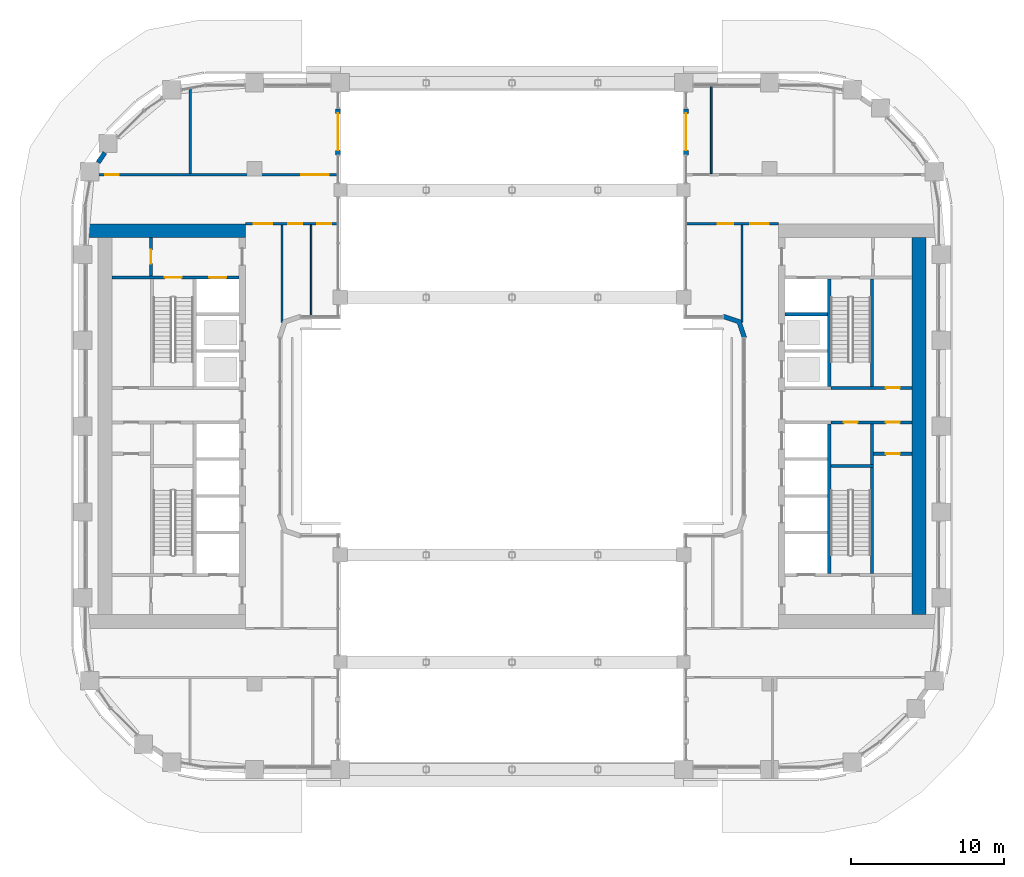
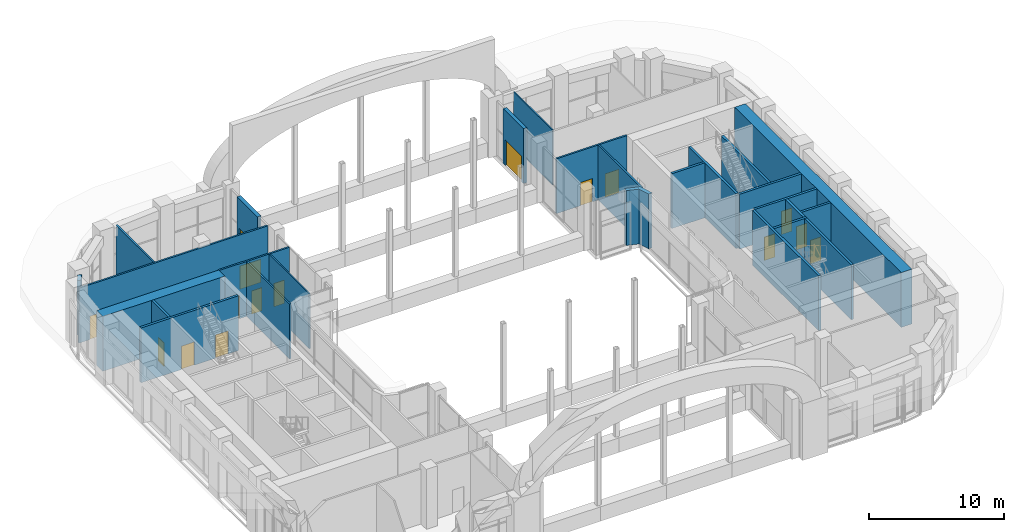
# One storey, part 17 of 28: 26 walls, 16 doors, 16 openings.
"""IFC4 building model written with IfcOpenShell, lengths in metres."""

from ifc_helpers import new_model, si_unit, direction, frame, frame_2d, origin, place, context, subcontext, project, spatial, polyline, rectangle, outline, extrude, material, layer, layer_set, type_object, element, fill, save


model = new_model("IFC4")

# Units and contexts
model_context = context("Model", 3, precision=1e-05, world=origin(), true_north=direction((0.0, 1.0)))
body_context = subcontext(model_context, "Body", "Model", "MODEL_VIEW")
ifc_project = project(units=[si_unit("LENGTHUNIT", "METRE"), si_unit("AREAUNIT", "SQUARE_METRE"), si_unit("VOLUMEUNIT", "CUBIC_METRE"), si_unit("PLANEANGLEUNIT", "RADIAN"), si_unit("MASSUNIT", "GRAM", prefix="KILO")], contexts=[model_context])

# Site, building, storey
site_placement = place(None, origin())
site = spatial("IfcSite", under=ifc_project, at=site_placement, CompositionType="ELEMENT")
building_placement = place(site_placement, origin())
building = spatial("IfcBuilding", under=site, at=building_placement, Name="Kiln Ring Residences", CompositionType="ELEMENT")
storey_placement = place(building_placement, frame((0.0, 0.0, 125.300048828125)))
storey = spatial("IfcBuildingStorey", under=building, at=storey_placement, Name="L32", CompositionType="ELEMENT", Elevation=125.300048828125)

# Wall, opening, door
ifc_material_1 = material(Name="Gypsum board on steel studs", Category="steel")
ifc_layer_1 = layer(ifc_material_1, 0.199951171875)
ifc_layer_set_1 = layer_set([ifc_layer_1], Name="CORE-PARTITION-200")
wall_type_1 = type_object("IfcWallType", Name="CORE-PARTITION-200", PredefinedType="PARTITIONING", material=ifc_layer_set_1)
wall_1_placement = place(storey_placement, frame((-23.550048828125, 9.800048828125, 0.0), z_axis=(0.0, 0.0, 1.0), x_axis=(0.0, 1.0, 0.0)))
wall_1 = element("IfcWall", 1, at=wall_1_placement, inside=storey, type_object=wall_type_1, Name="Core partition west L32 3", PredefinedType="PARTITIONING", context=body_context, shape_type="SweptSolid", body=[
    extrude(rectangle(XDim=2.5, YDim=0.199951171875, at=frame_2d((1.25, 0.0))), origin(), (0.0, 0.0, 1.0), 4.949951171875),
])
opening_1_placement = place(wall_1_placement, frame((0.800048828125, 0.0, 0.0)))
opening_1 = element("IfcOpeningElement", 2, at=opening_1_placement, cuts=wall_1, Name="Opening L32-CW10", PredefinedType="OPENING", context=body_context, shape_type="SweptSolid", body=[
    extrude(rectangle(XDim=0.89990234375, YDim=2.10009765625, at=frame_2d((0.449951171875, 1.050048828125))), frame((0.0, 0.10986328125, 0.0), z_axis=(0.0, -1.0, 0.0), x_axis=(1.0, 0.0, 0.0)), (0.0, 0.0, 1.0), 0.219970703125),
])
ifc_material_2 = material(Name="Steel door leaf", Category="steel")
door_type_1 = type_object("IfcDoorType", Name="CORE-DOOR-ROOM", OperationType="SINGLE_SWING_LEFT", PredefinedType="DOOR", material=ifc_material_2)
door_1_placement = place(opening_1_placement, origin())
door_1 = element("IfcDoor", 3, at=door_1_placement, inside=storey, type_object=door_type_1, Name="Fire riser room L32-CW10", OperationType="SINGLE_SWING_RIGHT", OverallHeight=2.10009765625, OverallWidth=0.89990234375, PredefinedType="DOOR", context=body_context, shape_type="SweptSolid", body=[
    extrude(rectangle(XDim=0.89990234375, YDim=2.10009765625, at=frame_2d((0.449951171875, 1.050048828125))), frame((0.0, 0.02490234375, 0.0), z_axis=(0.0, -1.0, 0.0), x_axis=(1.0, 0.0, 0.0)), (0.0, 0.0, 1.0), 0.050048828125),
])
fill(opening_1, door_1)

# Wall
wall_2_placement = place(storey_placement, frame((23.5, -2.5, 0.0), z_axis=(0.0, 0.0, 1.0), x_axis=(0.0, 1.0, 0.0)))
element("IfcWall", 4, at=wall_2_placement, inside=storey, type_object=wall_type_1, Name="Core partition east L32 1", PredefinedType="PARTITIONING", context=body_context, shape_type="SweptSolid", body=[
    extrude(rectangle(XDim=2.64990234375, YDim=0.199951171875, at=frame_2d((1.324951171875, 0.0))), origin(), (0.0, 0.0, 1.0), 4.949951171875),
])

# Wall, openings, doors
wall_3_placement = place(storey_placement, frame((20.800048828125, 0.25, 0.0), z_axis=(0.0, 0.0, 1.0), x_axis=(1.0, 0.0, 0.0)))
wall_3 = element("IfcWall", 5, at=wall_3_placement, inside=storey, type_object=wall_type_1, Name="Core partition east L32 2", PredefinedType="PARTITIONING", context=body_context, shape_type="SweptSolid", body=[
    extrude(rectangle(XDim=5.300048828125, YDim=0.199951171875, at=frame_2d((2.64990234375, 0.0))), origin(), (0.0, 0.0, 1.0), 4.949951171875),
])
opening_2_placement = place(wall_3_placement, frame((0.85009765625, 0.0, 0.0)))
opening_2 = element("IfcOpeningElement", 6, at=opening_2_placement, cuts=wall_3, Name="Opening L32-CE15", PredefinedType="OPENING", context=body_context, shape_type="SweptSolid", body=[
    extrude(rectangle(XDim=0.89990234375, YDim=2.10009765625, at=frame_2d((0.449951171875, 1.050048828125))), frame((0.0, 0.10986328125, 0.0), z_axis=(0.0, -1.0, 0.0), x_axis=(1.0, 0.0, 0.0)), (0.0, 0.0, 1.0), 0.219970703125),
])
opening_3_placement = place(wall_3_placement, frame((3.60009765625, 0.0, 0.0)))
opening_3 = element("IfcOpeningElement", 7, at=opening_3_placement, cuts=wall_3, Name="Opening L32-CE17", PredefinedType="OPENING", context=body_context, shape_type="SweptSolid", body=[
    extrude(rectangle(XDim=0.89990234375, YDim=2.10009765625, at=frame_2d((0.449951171875, 1.050048828125))), frame((0.0, 0.10986328125, 0.0), z_axis=(0.0, -1.0, 0.0), x_axis=(1.0, 0.0, 0.0)), (0.0, 0.0, 1.0), 0.219970703125),
])
door_2_placement = place(opening_2_placement, origin())
door_2 = element("IfcDoor", 8, at=door_2_placement, inside=storey, type_object=door_type_1, Name="Linen store L32-CE15", OperationType="SINGLE_SWING_RIGHT", OverallHeight=2.10009765625, OverallWidth=0.89990234375, PredefinedType="DOOR", context=body_context, shape_type="SweptSolid", body=[
    extrude(rectangle(XDim=0.89990234375, YDim=2.10009765625, at=frame_2d((0.449951171875, 1.050048828125))), frame((0.0, 0.02490234375, 0.0), z_axis=(0.0, -1.0, 0.0), x_axis=(1.0, 0.0, 0.0)), (0.0, 0.0, 1.0), 0.050048828125),
])
fill(opening_2, door_2)
door_3_placement = place(opening_3_placement, origin())
door_3 = element("IfcDoor", 9, at=door_3_placement, inside=storey, type_object=door_type_1, Name="Pump and valve room L32-CE17", OperationType="SINGLE_SWING_RIGHT", OverallHeight=2.10009765625, OverallWidth=0.89990234375, PredefinedType="DOOR", context=body_context, shape_type="SweptSolid", body=[
    extrude(rectangle(XDim=0.89990234375, YDim=2.10009765625, at=frame_2d((0.449951171875, 1.050048828125))), frame((0.0, 0.02490234375, 0.0), z_axis=(0.0, -1.0, 0.0), x_axis=(1.0, 0.0, 0.0)), (0.0, 0.0, 1.0), 0.050048828125),
])
fill(opening_3, door_3)

# Wall, opening, door
wall_4_placement = place(storey_placement, frame((23.60009765625, -1.800048828125, 0.0), z_axis=(0.0, 0.0, 1.0), x_axis=(1.0, 0.0, 0.0)))
wall_4 = element("IfcWall", 10, at=wall_4_placement, inside=storey, type_object=wall_type_1, Name="Core partition east L32 5", PredefinedType="PARTITIONING", context=body_context, shape_type="SweptSolid", body=[
    extrude(rectangle(XDim=2.5, YDim=0.199951171875, at=frame_2d((1.25, 0.0))), origin(), (0.0, 0.0, 1.0), 4.949951171875),
])
opening_4_placement = place(wall_4_placement, frame((0.800048828125, 0.0, 0.0)))
opening_4 = element("IfcOpeningElement", 11, at=opening_4_placement, cuts=wall_4, Name="Opening L32-CE16", PredefinedType="OPENING", context=body_context, shape_type="SweptSolid", body=[
    extrude(rectangle(XDim=0.89990234375, YDim=2.10009765625, at=frame_2d((0.449951171875, 1.050048828125))), frame((0.0, 0.10986328125, 0.0), z_axis=(0.0, -1.0, 0.0), x_axis=(1.0, 0.0, 0.0)), (0.0, 0.0, 1.0), 0.219970703125),
])
door_4_placement = place(opening_4_placement, origin())
door_4 = element("IfcDoor", 12, at=door_4_placement, inside=storey, type_object=door_type_1, Name="Pump and valve room L32-CE16", OperationType="SINGLE_SWING_RIGHT", OverallHeight=2.10009765625, OverallWidth=0.89990234375, PredefinedType="DOOR", context=body_context, shape_type="SweptSolid", body=[
    extrude(rectangle(XDim=0.89990234375, YDim=2.10009765625, at=frame_2d((0.449951171875, 1.050048828125))), frame((0.0, 0.02490234375, 0.0), z_axis=(0.0, -1.0, 0.0), x_axis=(1.0, 0.0, 0.0)), (0.0, 0.0, 1.0), 0.050048828125),
])
fill(opening_4, door_4)

# Wall
ifc_material_3 = material(Name="Gypsum shaft wall system")
ifc_layer_2 = layer(ifc_material_3, 0.199951171875)
ifc_layer_set_2 = layer_set([ifc_layer_2], Name="CORE-SHAFT-WALL-200")
wall_type_2 = type_object("IfcWallType", Name="CORE-SHAFT-WALL-200", PredefinedType="PARTITIONING", material=ifc_layer_set_2)
wall_5_placement = place(storey_placement, frame((17.800048828125, 7.300048828125, 0.0), z_axis=(0.0, 0.0, 1.0), x_axis=(1.0, 0.0, 0.0)))
element("IfcWall", 13, at=wall_5_placement, inside=storey, type_object=wall_type_2, Name="Core partition east L32 12", PredefinedType="PARTITIONING", context=body_context, shape_type="SweptSolid", body=[
    extrude(rectangle(XDim=2.800048828125, YDim=0.199951171875, at=frame_2d((1.39990234375, 0.0))), origin(), (0.0, 0.0, 1.0), 4.949951171875),
])

# Wall, openings, doors
ifc_material_4 = material(Name="Concrete C40/50", Category="concrete")
ifc_layer_3 = layer(ifc_material_4, 0.199951171875)
ifc_layer_set_3 = layer_set([ifc_layer_3], Name="CORE-WALL-RC200")
wall_type_3 = type_object("IfcWallType", Name="CORE-WALL-RC200", PredefinedType="SHEAR", material=ifc_layer_set_3)
wall_6_placement = place(storey_placement, frame((-17.800048828125, 9.699951171875, 0.0), z_axis=(0.0, 0.0, 1.0), x_axis=(-1.0, 0.0, 0.0)))
wall_6 = element("IfcWall", 14, at=wall_6_placement, inside=storey, type_object=wall_type_3, Name="Core wall west L32 9", PredefinedType="SHEAR", context=body_context, shape_type="SweptSolid", body=[
    extrude(rectangle(XDim=8.300048828125, YDim=0.199951171875, at=frame_2d((4.14990234375, 0.0))), origin(), (0.0, 0.0, 1.0), 4.949951171875),
])
opening_5_placement = place(wall_6_placement, frame((0.85009765625, 0.0, 0.0)))
opening_5 = element("IfcOpeningElement", 15, at=opening_5_placement, cuts=wall_6, Name="Opening L32-CW07", PredefinedType="OPENING", context=body_context, shape_type="SweptSolid", body=[
    extrude(rectangle(XDim=1.10009765625, YDim=2.10009765625, at=frame_2d((0.550048828125, 1.050048828125))), frame((0.0, 0.10986328125, 0.0), z_axis=(0.0, -1.0, 0.0), x_axis=(1.0, 0.0, 0.0)), (0.0, 0.0, 1.0), 0.219970703125),
])
opening_6_placement = place(wall_6_placement, frame((3.75, 0.0, 0.0)))
opening_6 = element("IfcOpeningElement", 16, at=opening_6_placement, cuts=wall_6, Name="Opening L32-CW12", PredefinedType="OPENING", context=body_context, shape_type="SweptSolid", body=[
    extrude(rectangle(XDim=1.10009765625, YDim=2.10009765625, at=frame_2d((0.550048828125, 1.050048828125))), frame((0.0, 0.10986328125, 0.0), z_axis=(0.0, -1.0, 0.0), x_axis=(1.0, 0.0, 0.0)), (0.0, 0.0, 1.0), 0.219970703125),
])
ifc_material_5 = material(Name="Steel door leaf", Category="steel")
door_type_2 = type_object("IfcDoorType", Name="CORE-DOOR-LD", OperationType="DOUBLE_DOOR_SLIDING", PredefinedType="DOOR", material=ifc_material_5)
door_5_placement = place(opening_5_placement, origin())
door_5 = element("IfcDoor", 17, at=door_5_placement, inside=storey, type_object=door_type_2, Name="LD W-FF L32-CW07", OperationType="DOUBLE_DOOR_SLIDING", OverallHeight=2.10009765625, OverallWidth=1.10009765625, PredefinedType="DOOR", context=body_context, shape_type="SweptSolid", body=[
    extrude(rectangle(XDim=1.10009765625, YDim=2.10009765625, at=frame_2d((0.550048828125, 1.050048828125))), frame((0.0, 0.02490234375, 0.0), z_axis=(0.0, -1.0, 0.0), x_axis=(1.0, 0.0, 0.0)), (0.0, 0.0, 1.0), 0.050048828125),
])
fill(opening_5, door_5)
ifc_material_6 = material(Name="Steel door leaf", Category="steel")
door_type_3 = type_object("IfcDoorType", Name="CORE-DOOR-STAIR", OperationType="SINGLE_SWING_LEFT", PredefinedType="DOOR", material=ifc_material_6)
door_6_placement = place(opening_6_placement, origin())
door_6 = element("IfcDoor", 18, at=door_6_placement, inside=storey, type_object=door_type_3, Name="Stair W-STN L32-CW12", OperationType="SINGLE_SWING_RIGHT", OverallHeight=2.10009765625, OverallWidth=1.10009765625, PredefinedType="DOOR", context=body_context, shape_type="SweptSolid", body=[
    extrude(rectangle(XDim=1.10009765625, YDim=2.10009765625, at=frame_2d((0.550048828125, 1.050048828125))), frame((0.0, 0.02490234375, 0.0), z_axis=(0.0, -1.0, 0.0), x_axis=(1.0, 0.0, 0.0)), (0.0, 0.0, 1.0), 0.050048828125),
])
fill(opening_6, door_6)

# Walls
wall_7_placement = place(storey_placement, frame((20.699951171875, 2.60009765625, 0.0), z_axis=(0.0, 0.0, 1.0), x_axis=(0.0, 1.0, 0.0)))
element("IfcWall", 19, at=wall_7_placement, inside=storey, type_object=wall_type_3, Name="Core wall east L32 1", PredefinedType="SHEAR", context=body_context, shape_type="SweptSolid", body=[
    extrude(rectangle(XDim=7.0, YDim=0.199951171875, at=frame_2d((3.5, 0.0))), origin(), (0.0, 0.0, 1.0), 4.949951171875),
])
wall_8_placement = place(storey_placement, frame((20.699951171875, -9.60009765625, 0.0), z_axis=(0.0, 0.0, 1.0), x_axis=(0.0, 1.0, 0.0)))
element("IfcWall", 20, at=wall_8_placement, inside=storey, type_object=wall_type_3, Name="Core wall east L32 2", PredefinedType="SHEAR", context=body_context, shape_type="SweptSolid", body=[
    extrude(rectangle(XDim=9.75, YDim=0.199951171875, at=frame_2d((4.875, 0.0))), origin(), (0.0, 0.0, 1.0), 4.949951171875),
])

# Wall, opening, door
wall_9_placement = place(storey_placement, frame((20.800048828125, 2.5, 0.0), z_axis=(0.0, 0.0, 1.0), x_axis=(1.0, 0.0, 0.0)))
wall_9 = element("IfcWall", 21, at=wall_9_placement, inside=storey, type_object=wall_type_3, Name="Core wall east L32 3", PredefinedType="SHEAR", context=body_context, shape_type="SweptSolid", body=[
    extrude(rectangle(XDim=5.300048828125, YDim=0.199951171875, at=frame_2d((2.64990234375, 0.0))), origin(), (0.0, 0.0, 1.0), 4.949951171875),
])
opening_7_placement = place(wall_9_placement, frame((3.60009765625, 0.0, 0.0)))
opening_7 = element("IfcOpeningElement", 22, at=opening_7_placement, cuts=wall_9, Name="Opening L32-CE18", PredefinedType="OPENING", context=body_context, shape_type="SweptSolid", body=[
    extrude(rectangle(XDim=0.89990234375, YDim=2.10009765625, at=frame_2d((0.449951171875, 1.050048828125))), frame((0.0, 0.10986328125, 0.0), z_axis=(0.0, -1.0, 0.0), x_axis=(1.0, 0.0, 0.0)), (0.0, 0.0, 1.0), 0.219970703125),
])
door_7_placement = place(opening_7_placement, origin())
door_7 = element("IfcDoor", 23, at=door_7_placement, inside=storey, type_object=door_type_1, Name="Electrical plant room L32-CE18", OperationType="SINGLE_SWING_RIGHT", OverallHeight=2.10009765625, OverallWidth=0.89990234375, PredefinedType="DOOR", context=body_context, shape_type="SweptSolid", body=[
    extrude(rectangle(XDim=0.89990234375, YDim=2.10009765625, at=frame_2d((0.449951171875, 1.050048828125))), frame((0.0, 0.02490234375, 0.0), z_axis=(0.0, -1.0, 0.0), x_axis=(1.0, 0.0, 0.0)), (0.0, 0.0, 1.0), 0.050048828125),
])
fill(opening_7, door_7)

# Walls
wall_10_placement = place(storey_placement, frame((23.5, 2.60009765625, 0.0), z_axis=(0.0, 0.0, 1.0), x_axis=(0.0, 1.0, 0.0)))
element("IfcWall", 24, at=wall_10_placement, inside=storey, type_object=wall_type_3, Name="Core wall east L32 10", PredefinedType="SHEAR", context=body_context, shape_type="SweptSolid", body=[
    extrude(rectangle(XDim=7.0, YDim=0.199951171875, at=frame_2d((3.5, 0.0))), origin(), (0.0, 0.0, 1.0), 4.949951171875),
])
wall_11_placement = place(storey_placement, frame((23.5, -9.60009765625, 0.0), z_axis=(0.0, 0.0, 1.0), x_axis=(0.0, 1.0, 0.0)))
element("IfcWall", 25, at=wall_11_placement, inside=storey, type_object=wall_type_3, Name="Core wall east L32 11", PredefinedType="SHEAR", context=body_context, shape_type="SweptSolid", body=[
    extrude(rectangle(XDim=6.900146484375, YDim=0.199951171875, at=frame_2d((3.4501953125, 0.0))), origin(), (0.0, 0.0, 1.0), 4.949951171875),
])
wall_12_placement = place(storey_placement, frame((20.800048828125, -2.60009765625, 0.0), z_axis=(0.0, 0.0, 1.0), x_axis=(1.0, 0.0, 0.0)))
element("IfcWall", 26, at=wall_12_placement, inside=storey, type_object=wall_type_3, Name="Core wall east L32 12", PredefinedType="SHEAR", context=body_context, shape_type="SweptSolid", body=[
    extrude(rectangle(XDim=2.800048828125, YDim=0.199951171875, at=frame_2d((1.39990234375, 0.0))), origin(), (0.0, 0.0, 1.0), 4.949951171875),
])
ifc_material_7 = material(Name="Concrete C60/75", Category="concrete")
ifc_layer_4 = layer(ifc_material_7, 0.89990234375)
ifc_layer_set_4 = layer_set([ifc_layer_4], Name="CORE-WALL-RC900")
wall_type_4 = type_object("IfcWallType", Name="CORE-WALL-RC900", PredefinedType="SHEAR", material=ifc_layer_set_4)
wall_13_placement = place(storey_placement, frame((-17.39990234375, 12.75, 0.0), z_axis=(0.0, 0.0, 1.0), x_axis=(-1.0, 0.0, 0.0)))
element("IfcWall", 27, at=wall_13_placement, inside=storey, type_object=wall_type_4, Name="Core wall west L32 4", PredefinedType="SHEAR", context=body_context, shape_type="SweptSolid", body=[
    extrude(rectangle(XDim=10.400146484375, YDim=0.89990234375, at=frame_2d((5.2001953125, 0.0))), origin(), (0.0, 0.0, 1.0), 4.949951171875),
])
wall_14_placement = place(storey_placement, frame((26.550048828125, -12.300048828125, 0.0), z_axis=(0.0, 0.0, 1.0), x_axis=(0.0, 1.0, 0.0)))
element("IfcWall", 28, at=wall_14_placement, inside=storey, type_object=wall_type_4, Name="Core wall east L32 7", PredefinedType="SHEAR", context=body_context, shape_type="SweptSolid", body=[
    extrude(rectangle(XDim=24.60009765625, YDim=0.89990234375, at=frame_2d((12.300048828125, 0.0))), origin(), (0.0, 0.0, 1.0), 4.949951171875),
])

# Wall, opening, door
ifc_material_8 = material(Name="Brick masonry, dark clay brick", Category="masonry")
ifc_layer_5 = layer(ifc_material_8, 0.300048828125)
ifc_layer_set_5 = layer_set([ifc_layer_5], Name="EW-300 BRICK WALL")
wall_type_5 = type_object("IfcWallType", Name="EW-300 BRICK WALL", PredefinedType="SOLIDWALL", material=ifc_layer_set_5)
wall_15_placement = place(storey_placement, frame((-11.35009765625, 17.699951171875, 0.0), z_axis=(0.0, 0.0, 1.0), x_axis=(0.0, 1.0, 0.0)))
wall_15 = element("IfcWall", 29, at=wall_15_placement, inside=storey, type_object=wall_type_5, Name="Facade wall L32 2", PredefinedType="SOLIDWALL", context=body_context, shape_type="SweptSolid", body=[
    extrude(rectangle(XDim=3.0, YDim=0.300048828125, at=frame_2d((1.5, 0.0))), origin(), (0.0, 0.0, 1.0), 4.949951171875),
])
opening_8_placement = place(wall_15_placement, frame((0.300048828125, 0.0, 0.0)))
opening_8 = element("IfcOpeningElement", 30, at=opening_8_placement, cuts=wall_15, Name="Opening EL32-2", PredefinedType="OPENING", context=body_context, shape_type="SweptSolid", body=[
    extrude(rectangle(XDim=2.39990234375, YDim=2.300048828125, at=frame_2d((1.199951171875, 1.14990234375))), frame((0.0, 0.159912109375, 0.0), z_axis=(0.0, -1.0, 0.0), x_axis=(1.0, 0.0, 0.0)), (0.0, 0.0, 1.0), 0.320068359375),
])
ifc_material_9 = material(Name="Aluminium and glass", Category="aluminium")
door_type_4 = type_object("IfcDoorType", Name="TERRACE DOOR 2400 x 2300", OperationType="DOUBLE_DOOR_SINGLE_SWING", PredefinedType="DOOR", material=ifc_material_9)
door_8_placement = place(opening_8_placement, origin())
door_8 = element("IfcDoor", 31, at=door_8_placement, inside=storey, type_object=door_type_4, Name="Terrace door EL32-2", OperationType="SINGLE_SWING_LEFT", OverallHeight=2.300048828125, OverallWidth=2.39990234375, PredefinedType="DOOR", context=body_context, shape_type="SweptSolid", body=[
    extrude(rectangle(XDim=2.39990234375, YDim=2.300048828125, at=frame_2d((1.199951171875, 1.14990234375))), frame((0.0, 0.02490234375, 0.0), z_axis=(0.0, -1.0, 0.0), x_axis=(1.0, 0.0, 0.0)), (0.0, 0.0, 1.0), 0.050048828125),
])
fill(opening_8, door_8)

wall_16_placement = place(storey_placement, frame((11.35009765625, 20.699951171875, 0.0), z_axis=(0.0, 0.0, 1.0), x_axis=(0.0, -1.0, 0.0)))
wall_16 = element("IfcWall", 32, at=wall_16_placement, inside=storey, type_object=wall_type_5, Name="Facade wall L32 4", PredefinedType="SOLIDWALL", context=body_context, shape_type="SweptSolid", body=[
    extrude(rectangle(XDim=3.0, YDim=0.300048828125, at=frame_2d((1.5, 0.0))), origin(), (0.0, 0.0, 1.0), 4.949951171875),
])
opening_9_placement = place(wall_16_placement, frame((0.300048828125, 0.0, 0.0)))
opening_9 = element("IfcOpeningElement", 33, at=opening_9_placement, cuts=wall_16, Name="Opening EL32-4", PredefinedType="OPENING", context=body_context, shape_type="SweptSolid", body=[
    extrude(rectangle(XDim=2.39990234375, YDim=2.300048828125, at=frame_2d((1.199951171875, 1.14990234375))), frame((0.0, 0.159912109375, 0.0), z_axis=(0.0, -1.0, 0.0), x_axis=(1.0, 0.0, 0.0)), (0.0, 0.0, 1.0), 0.320068359375),
])
door_9_placement = place(opening_9_placement, origin())
door_9 = element("IfcDoor", 34, at=door_9_placement, inside=storey, type_object=door_type_4, Name="Terrace door EL32-4", OperationType="SINGLE_SWING_LEFT", OverallHeight=2.300048828125, OverallWidth=2.39990234375, PredefinedType="DOOR", context=body_context, shape_type="SweptSolid", body=[
    extrude(rectangle(XDim=2.39990234375, YDim=2.300048828125, at=frame_2d((1.199951171875, 1.14990234375))), frame((0.0, 0.02490234375, 0.0), z_axis=(0.0, -1.0, 0.0), x_axis=(1.0, 0.0, 0.0)), (0.0, 0.0, 1.0), 0.050048828125),
])
fill(opening_9, door_9)

# Walls
wall_17_placement = place(storey_placement, frame((-26.568115234375, 17.840087890625, 0.0), z_axis=(0.0, 0.0, 1.0), x_axis=(-0.561986273267, -0.82714655815, 0.0)))
element("IfcWall", 35, at=wall_17_placement, inside=storey, type_object=wall_type_5, Name="Facade wall L32 6", PredefinedType="SOLIDWALL", context=body_context, shape_type="SweptSolid", body=[
    extrude(rectangle(XDim=0.76318359375, YDim=0.300048828125, at=frame_2d((0.381591796875, 0.0))), origin(), (0.0, 0.0, 1.0), 4.949951171875),
])
wall_18_placement = place(storey_placement, origin())
element("IfcWall", 36, at=wall_18_placement, inside=storey, type_object=wall_type_5, Name="Corner wall L32 3", PredefinedType="SOLIDWALL", context=body_context, shape_type="SweptSolid", body=[
    extrude(outline(polyline([(13.800048828125, 7.0), (14.699951171875, 6.699951171875), (15.0, 5.800048828125), (15.300048828125, 5.800048828125), (15.300048828125, 5.8486328125), (14.937255859375, 6.937255859375), (13.8486328125, 7.300048828125), (13.800048828125, 7.300048828125), (13.800048828125, 7.0)])), origin(), (0.0, 0.0, 1.0), 4.949951171875),
])
ifc_material_10 = material(Name="Gypsum board on steel studs", Category="steel")
ifc_layer_6 = layer(ifc_material_10, 0.10009765625)
ifc_layer_set_6 = layer_set([ifc_layer_6], Name="PARTITION-100")
wall_type_6 = type_object("IfcWallType", Name="PARTITION-100", PredefinedType="PARTITIONING", material=ifc_layer_set_6)
wall_19_placement = place(storey_placement, frame((-13.10009765625, 7.18408203125, 0.0), z_axis=(0.0, 0.0, 1.0), x_axis=(0.0, 1.0, 0.0)))
element("IfcWall", 37, at=wall_19_placement, inside=storey, type_object=wall_type_6, Name="Partition 012", PredefinedType="PARTITIONING", context=body_context, shape_type="SweptSolid", body=[
    extrude(rectangle(XDim=5.94091796875, YDim=0.10009765625, at=frame_2d((2.970458984375, 0.0))), origin(), (0.0, 0.0, 1.0), 4.949951171875),
])
wall_20_placement = place(storey_placement, frame((13.0, 16.47509765625, 0.0), z_axis=(0.0, 0.0, 1.0), x_axis=(0.0, 1.0, 0.0)))
element("IfcWall", 38, at=wall_20_placement, inside=storey, type_object=wall_type_6, Name="Partition 014", PredefinedType="PARTITIONING", context=body_context, shape_type="SweptSolid", body=[
    extrude(rectangle(XDim=5.740966796875, YDim=0.10009765625, at=frame_2d((2.87060546875, 0.0))), origin(), (0.0, 0.0, 1.0), 4.949951171875),
])

# Wall, openings, doors
ifc_material_11 = material(Name="Brick masonry partition", Category="masonry")
ifc_layer_7 = layer(ifc_material_11, 0.14990234375)
ifc_layer_set_7 = layer_set([ifc_layer_7], Name="PARTITION-150-ei60")
wall_type_7 = type_object("IfcWallType", Name="PARTITION-150-ei60", PredefinedType="PARTITIONING", material=ifc_layer_set_7)
wall_21_placement = place(storey_placement, frame((-17.39990234375, 13.199951171875, 0.0), z_axis=(0.0, 0.0, 1.0), x_axis=(1.0, 0.0, 0.0)))
wall_21 = element("IfcWall", 39, at=wall_21_placement, inside=storey, type_object=wall_type_7, Name="Partition 004", PredefinedType="PARTITIONING", context=body_context, shape_type="SweptSolid", body=[
    extrude(rectangle(XDim=6.015869140625, YDim=0.14990234375, at=frame_2d((3.0078125, 0.0))), origin(), (0.0, 0.0, 1.0), 4.949951171875),
])
opening_10_placement = place(wall_21_placement, frame((0.550048828125, 0.0, 0.0)))
opening_10 = element("IfcOpeningElement", 40, at=opening_10_placement, cuts=wall_21, Name="Opening L32-D006", PredefinedType="OPENING", context=body_context, shape_type="SweptSolid", body=[
    extrude(rectangle(XDim=1.199951171875, YDim=2.10009765625, at=frame_2d((0.60009765625, 1.050048828125))), frame((0.0, 0.0849609375, 0.0), z_axis=(0.0, -1.0, 0.0), x_axis=(1.0, 0.0, 0.0)), (0.0, 0.0, 1.0), 0.169921875),
])
opening_11_placement = place(wall_21_placement, frame((4.699951171875, 0.0, 0.0)))
opening_11 = element("IfcOpeningElement", 41, at=opening_11_placement, cuts=wall_21, Name="Opening L32-D007", PredefinedType="OPENING", context=body_context, shape_type="SweptSolid", body=[
    extrude(rectangle(XDim=0.89990234375, YDim=2.10009765625, at=frame_2d((0.449951171875, 1.050048828125))), frame((0.0, 0.0849609375, 0.0), z_axis=(0.0, -1.0, 0.0), x_axis=(1.0, 0.0, 0.0)), (0.0, 0.0, 1.0), 0.169921875),
])
opening_12_placement = place(wall_21_placement, frame((2.800048828125, 0.0, 0.0)))
opening_12 = element("IfcOpeningElement", 42, at=opening_12_placement, cuts=wall_21, Name="Opening L32-D008", PredefinedType="OPENING", context=body_context, shape_type="SweptSolid", body=[
    extrude(rectangle(XDim=0.89990234375, YDim=2.10009765625, at=frame_2d((0.449951171875, 1.050048828125))), frame((0.0, 0.0849609375, 0.0), z_axis=(0.0, -1.0, 0.0), x_axis=(1.0, 0.0, 0.0)), (0.0, 0.0, 1.0), 0.169921875),
])
ifc_material_12 = material(Name="Steel faced fire door leaf", Category="steel")
door_type_5 = type_object("IfcDoorType", Name="FLAT-DOOR-1200-FR", OperationType="SINGLE_SWING_LEFT", PredefinedType="DOOR", material=ifc_material_12)
door_10_placement = place(opening_10_placement, origin())
door_10 = element("IfcDoor", 43, at=door_10_placement, inside=storey, type_object=door_type_5, Name="Door L32-D006", OperationType="SINGLE_SWING_LEFT", OverallHeight=2.10009765625, OverallWidth=1.199951171875, PredefinedType="DOOR", context=body_context, shape_type="SweptSolid", body=[
    extrude(rectangle(XDim=1.199951171875, YDim=2.10009765625, at=frame_2d((0.60009765625, 1.050048828125))), frame((0.0, 0.02490234375, 0.0), z_axis=(0.0, -1.0, 0.0), x_axis=(1.0, 0.0, 0.0)), (0.0, 0.0, 1.0), 0.050048828125),
])
fill(opening_10, door_10)
ifc_material_13 = material(Name="Steel faced fire door leaf", Category="steel")
door_type_6 = type_object("IfcDoorType", Name="FLAT-DOOR-900-FR", OperationType="SINGLE_SWING_LEFT", PredefinedType="DOOR", material=ifc_material_13)
door_11_placement = place(opening_11_placement, origin())
door_11 = element("IfcDoor", 44, at=door_11_placement, inside=storey, type_object=door_type_6, Name="Door L32-D007", OperationType="SINGLE_SWING_LEFT", OverallHeight=2.10009765625, OverallWidth=0.89990234375, PredefinedType="DOOR", context=body_context, shape_type="SweptSolid", body=[
    extrude(rectangle(XDim=0.89990234375, YDim=2.10009765625, at=frame_2d((0.449951171875, 1.050048828125))), frame((0.0, 0.02490234375, 0.0), z_axis=(0.0, -1.0, 0.0), x_axis=(1.0, 0.0, 0.0)), (0.0, 0.0, 1.0), 0.050048828125),
])
fill(opening_11, door_11)
door_12_placement = place(opening_12_placement, origin())
door_12 = element("IfcDoor", 45, at=door_12_placement, inside=storey, type_object=door_type_6, Name="Door L32-D008", OperationType="SINGLE_SWING_RIGHT", OverallHeight=2.10009765625, OverallWidth=0.89990234375, PredefinedType="DOOR", context=body_context, shape_type="SweptSolid", body=[
    extrude(rectangle(XDim=0.89990234375, YDim=2.10009765625, at=frame_2d((0.449951171875, 1.050048828125))), frame((0.0, 0.02490234375, 0.0), z_axis=(0.0, -1.0, 0.0), x_axis=(1.0, 0.0, 0.0)), (0.0, 0.0, 1.0), 0.050048828125),
])
fill(opening_12, door_12)

wall_22_placement = place(storey_placement, frame((11.384033203125, 13.199951171875, 0.0), z_axis=(0.0, 0.0, 1.0), x_axis=(1.0, 0.0, 0.0)))
wall_22 = element("IfcWall", 46, at=wall_22_placement, inside=storey, type_object=wall_type_7, Name="Partition 005", PredefinedType="PARTITIONING", context=body_context, shape_type="SweptSolid", body=[
    extrude(rectangle(XDim=6.015869140625, YDim=0.14990234375, at=frame_2d((3.0078125, 0.0))), origin(), (0.0, 0.0, 1.0), 4.949951171875),
])
opening_13_placement = place(wall_22_placement, frame((4.166015625, 0.0, 0.0)))
opening_13 = element("IfcOpeningElement", 47, at=opening_13_placement, cuts=wall_22, Name="Opening L32-D001", PredefinedType="OPENING", context=body_context, shape_type="SweptSolid", body=[
    extrude(rectangle(XDim=1.199951171875, YDim=2.10009765625, at=frame_2d((0.60009765625, 1.050048828125))), frame((0.0, 0.0849609375, 0.0), z_axis=(0.0, -1.0, 0.0), x_axis=(1.0, 0.0, 0.0)), (0.0, 0.0, 1.0), 0.169921875),
])
opening_14_placement = place(wall_22_placement, frame((2.055908203125, 0.0, 0.0)))
opening_14 = element("IfcOpeningElement", 48, at=opening_14_placement, cuts=wall_22, Name="Opening L32-D002", PredefinedType="OPENING", context=body_context, shape_type="SweptSolid", body=[
    extrude(rectangle(XDim=1.0, YDim=2.10009765625, at=frame_2d((0.5, 1.050048828125))), frame((0.0, 0.0849609375, 0.0), z_axis=(0.0, -1.0, 0.0), x_axis=(1.0, 0.0, 0.0)), (0.0, 0.0, 1.0), 0.169921875),
])
ifc_material_14 = material(Name="Steel faced fire door leaf", Category="steel")
door_type_7 = type_object("IfcDoorType", Name="FLAT-DOOR-1000-FR", OperationType="SINGLE_SWING_LEFT", PredefinedType="DOOR", material=ifc_material_14)
door_13_placement = place(opening_14_placement, origin())
door_13 = element("IfcDoor", 49, at=door_13_placement, inside=storey, type_object=door_type_7, Name="Door L32-D002", OperationType="SINGLE_SWING_RIGHT", OverallHeight=2.10009765625, OverallWidth=1.0, PredefinedType="DOOR", context=body_context, shape_type="SweptSolid", body=[
    extrude(rectangle(XDim=1.0, YDim=2.10009765625, at=frame_2d((0.5, 1.050048828125))), frame((0.0, 0.02490234375, 0.0), z_axis=(0.0, -1.0, 0.0), x_axis=(1.0, 0.0, 0.0)), (0.0, 0.0, 1.0), 0.050048828125),
])
fill(opening_14, door_13)
door_14_placement = place(opening_13_placement, origin())
door_14 = element("IfcDoor", 50, at=door_14_placement, inside=storey, type_object=door_type_5, Name="Door L32-D001", OperationType="SINGLE_SWING_RIGHT", OverallHeight=2.10009765625, OverallWidth=1.199951171875, PredefinedType="DOOR", context=body_context, shape_type="SweptSolid", body=[
    extrude(rectangle(XDim=1.199951171875, YDim=2.10009765625, at=frame_2d((0.60009765625, 1.050048828125))), frame((0.0, 0.02490234375, 0.0), z_axis=(0.0, -1.0, 0.0), x_axis=(1.0, 0.0, 0.0)), (0.0, 0.0, 1.0), 0.050048828125),
])
fill(opening_13, door_14)

wall_23_placement = place(storey_placement, frame((-27.52001953125, 16.39990234375, 0.0), z_axis=(0.0, 0.0, 1.0), x_axis=(1.0, 0.0, 0.0)))
wall_23 = element("IfcWall", 51, at=wall_23_placement, inside=storey, type_object=wall_type_7, Name="Partition 006", PredefinedType="PARTITIONING", context=body_context, shape_type="SweptSolid", body=[
    extrude(rectangle(XDim=16.135986328125, YDim=0.14990234375, at=frame_2d((8.06787109375, 0.0))), origin(), (0.0, 0.0, 1.0), 4.949951171875),
])
opening_15_placement = place(wall_23_placement, frame((13.780029296875, 0.0, 0.0)))
opening_15 = element("IfcOpeningElement", 52, at=opening_15_placement, cuts=wall_23, Name="Opening L32-D009", PredefinedType="OPENING", context=body_context, shape_type="SweptSolid", body=[
    extrude(rectangle(XDim=1.800048828125, YDim=2.10009765625, at=frame_2d((0.89990234375, 1.050048828125))), frame((0.0, 0.0849609375, 0.0), z_axis=(0.0, -1.0, 0.0), x_axis=(1.0, 0.0, 0.0)), (0.0, 0.0, 1.0), 0.169921875),
])
opening_16_placement = place(wall_23_placement, frame((0.969970703125, 0.0, 0.0)))
opening_16 = element("IfcOpeningElement", 53, at=opening_16_placement, cuts=wall_23, Name="Opening L32-D010", PredefinedType="OPENING", context=body_context, shape_type="SweptSolid", body=[
    extrude(rectangle(XDim=0.89990234375, YDim=2.10009765625, at=frame_2d((0.449951171875, 1.050048828125))), frame((0.0, 0.0849609375, 0.0), z_axis=(0.0, -1.0, 0.0), x_axis=(1.0, 0.0, 0.0)), (0.0, 0.0, 1.0), 0.169921875),
])
ifc_material_15 = material(Name="Steel faced fire door leaf", Category="steel")
door_type_8 = type_object("IfcDoorType", Name="FLAT-DOOR-1800-FR", OperationType="SINGLE_SWING_LEFT", PredefinedType="DOOR", material=ifc_material_15)
door_15_placement = place(opening_15_placement, origin())
door_15 = element("IfcDoor", 54, at=door_15_placement, inside=storey, type_object=door_type_8, Name="Door L32-D009", OperationType="SINGLE_SWING_LEFT", OverallHeight=2.10009765625, OverallWidth=1.800048828125, PredefinedType="DOOR", context=body_context, shape_type="SweptSolid", body=[
    extrude(rectangle(XDim=1.800048828125, YDim=2.10009765625, at=frame_2d((0.89990234375, 1.050048828125))), frame((0.0, 0.02490234375, 0.0), z_axis=(0.0, -1.0, 0.0), x_axis=(1.0, 0.0, 0.0)), (0.0, 0.0, 1.0), 0.050048828125),
])
fill(opening_15, door_15)
door_16_placement = place(opening_16_placement, origin())
door_16 = element("IfcDoor", 55, at=door_16_placement, inside=storey, type_object=door_type_6, Name="Door L32-D010", OperationType="SINGLE_SWING_RIGHT", OverallHeight=2.10009765625, OverallWidth=0.89990234375, PredefinedType="DOOR", context=body_context, shape_type="SweptSolid", body=[
    extrude(rectangle(XDim=0.89990234375, YDim=2.10009765625, at=frame_2d((0.449951171875, 1.050048828125))), frame((0.0, 0.02490234375, 0.0), z_axis=(0.0, -1.0, 0.0), x_axis=(1.0, 0.0, 0.0)), (0.0, 0.0, 1.0), 0.050048828125),
])
fill(opening_16, door_16)

# Walls
wall_24_placement = place(storey_placement, frame((-21.0, 16.47509765625, 0.0), z_axis=(0.0, 0.0, 1.0), x_axis=(0.0, 1.0, 0.0)))
element("IfcWall", 56, at=wall_24_placement, inside=storey, type_object=wall_type_7, Name="Partition 009", PredefinedType="PARTITIONING", context=body_context, shape_type="SweptSolid", body=[
    extrude(rectangle(XDim=5.547119140625, YDim=0.14990234375, at=frame_2d((2.7734375, 0.0))), origin(), (0.0, 0.0, 1.0), 4.949951171875),
])
for number, where, z_axis, x_axis, name in (
    (57, (-15.0, 6.768798828125, 0.0), (0.0, 0.0, 1.0), (0.0, 1.0, 0.0), "Partition 011"),
    (58, (15.0, 6.768798828125, 0.0), (0.0, 0.0, 1.0), (0.0, 1.0, 0.0), "Partition 017"),
):
    element("IfcWall", number, at=place(storey_placement, frame(where, z_axis=z_axis, x_axis=x_axis)), inside=storey, type_object=wall_type_7, Name=name, PredefinedType="PARTITIONING", context=body_context, shape_type="SweptSolid", body=[
        extrude(rectangle(XDim=6.356201171875, YDim=0.14990234375, at=frame_2d((3.17822265625, 0.0))), origin(), (0.0, 0.0, 1.0), 4.949951171875),
    ])

save(model, "model.ifc")
